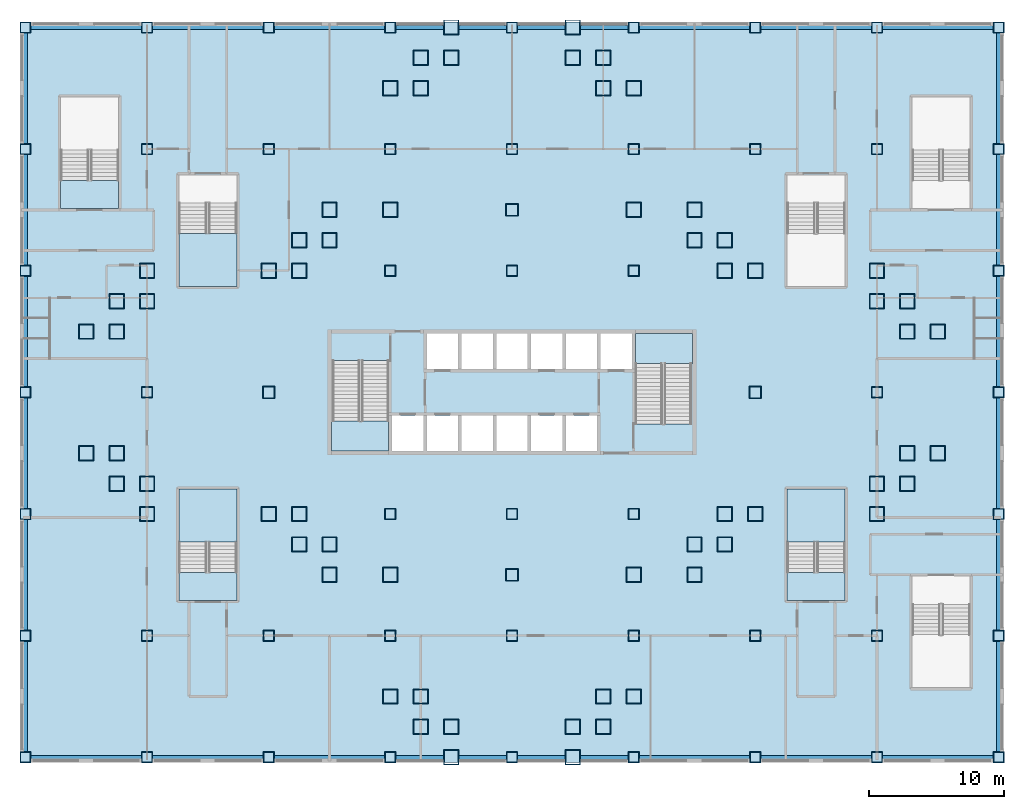
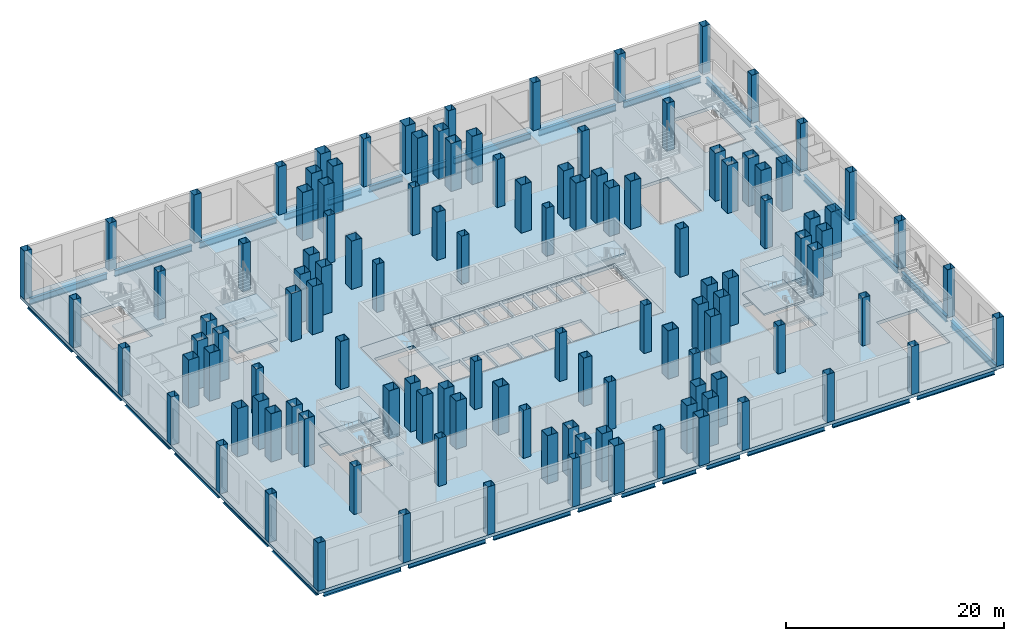
# One storey, part 1 of 26: 118 columns, 32 beams, 13 slabs, 6 elements without a shape of their own.
"""IFC4 building model written with IfcOpenShell, lengths in metres."""

from ifc_helpers import new_model, si_unit, direction, frame, origin, origin_2d, place, context, subcontext, project, spatial, polyline, hollow_rectangle, i_section, outline, extrude, material, layer, layer_set, material_profile, profile_set, type_object, element, aggregate, save


model = new_model("IFC4")

# Units and contexts
model_context = context("Model", 3, precision=1e-05, world=origin(), true_north=direction((0.0, 1.0)))
body_context = subcontext(model_context, "Body", "Model", "MODEL_VIEW")
ifc_project = project(units=[si_unit("LENGTHUNIT", "METRE"), si_unit("AREAUNIT", "SQUARE_METRE"), si_unit("VOLUMEUNIT", "CUBIC_METRE"), si_unit("PLANEANGLEUNIT", "RADIAN"), si_unit("MASSUNIT", "GRAM", prefix="KILO")], contexts=[model_context])

# Site, building, storey
site_placement = place(None, origin())
site = spatial("IfcSite", under=ifc_project, at=site_placement, CompositionType="ELEMENT")
building_placement = place(site_placement, origin())
building = spatial("IfcBuilding", under=site, at=building_placement, Name="Caravel Reach Hotel and Residences", CompositionType="ELEMENT")
storey_placement = place(building_placement, frame((0.0, 0.0, 12.0)))
storey = spatial("IfcBuildingStorey", under=building, at=storey_placement, Name="L02", CompositionType="ELEMENT", Elevation=12.0)

# Columns
ifc_material_1 = material(Name="Concrete-filled steel tube Q390B with Concrete C70 infill", Category="concrete")
ifc_material_profile_1 = material_profile(ifc_material_1, hollow_rectangle(XDim=1.10009765625, YDim=1.10009765625, WallThickness=0.035888671875, at=origin_2d()), Name="RHS 1100x1100x36")
ifc_profile_set_1 = profile_set([ifc_material_profile_1], Name="Concrete-filled steel tube Q390B with Concrete C70 infill")
column_type_1 = type_object("IfcColumnType", Name="CFT 1100x1100 Q390B C70", PredefinedType="COLUMN", material=ifc_profile_set_1)
for number, where, z_axis, x_axis, name in (
    (1, (22.5, 4.5, 0.0), (0.0, 0.0, 1.0), (1.0, 0.0, 0.0), "C1 column"),
    (2, (24.75, 4.5, 0.0), (0.0, 0.0, 1.0), (1.0, 0.0, 0.0), "C1 column"),
    (3, (24.75, 2.25, 0.0), (0.0, 0.0, 1.0), (1.0, 0.0, 0.0), "C1 column"),
    (4, (27.0, 2.25, 0.0), (0.0, 0.0, 1.0), (1.0, 0.0, 0.0), "C1 column"),
    (5, (27.0, 0.0, 0.0), (0.0, 0.0, 1.0), (1.0, 0.0, 0.0), "C1 column"),
    (6, (36.0, 0.0, 0.0), (0.0, 0.0, 1.0), (1.0, 0.0, 0.0), "C1 column"),
    (7, (36.0, 2.25, 0.0), (0.0, 0.0, 1.0), (1.0, 0.0, 0.0), "C1 column"),
    (8, (38.25, 2.25, 0.0), (0.0, 0.0, 1.0), (1.0, 0.0, 0.0), "C1 column"),
    (9, (38.25, 4.5, 0.0), (0.0, 0.0, 1.0), (1.0, 0.0, 0.0), "C1 column"),
    (10, (40.5, 4.5, 0.0), (0.0, 0.0, 1.0), (1.0, 0.0, 0.0), "C1 column"),
    (11, (40.5, 13.5, 0.0), (0.0, 0.0, 1.0), (1.0, 0.0, 0.0), "C1 column"),
    (12, (45.0, 13.5, 0.0), (0.0, 0.0, 1.0), (1.0, 0.0, 0.0), "C1 column"),
    (13, (45.0, 15.75, 0.0), (0.0, 0.0, 1.0), (1.0, 0.0, 0.0), "C1 column"),
    (14, (47.25, 15.75, 0.0), (0.0, 0.0, 1.0), (1.0, 0.0, 0.0), "C1 column"),
    (15, (47.25, 18.0, 0.0), (0.0, 0.0, 1.0), (1.0, 0.0, 0.0), "C1 column"),
    (16, (49.5, 18.0, 0.0), (0.0, 0.0, 1.0), (1.0, 0.0, 0.0), "C1 column"),
    (17, (58.5, 18.0, 0.0), (0.0, 0.0, 1.0), (1.0, 0.0, 0.0), "C1 column"),
    (18, (58.5, 20.25, 0.0), (0.0, 0.0, 1.0), (1.0, 0.0, 0.0), "C1 column"),
    (19, (60.75, 20.25, 0.0), (0.0, 0.0, 1.0), (1.0, 0.0, 0.0), "C1 column"),
    (20, (60.75, 22.5, 0.0), (0.0, 0.0, 1.0), (1.0, 0.0, 0.0), "C1 column"),
    (21, (63.0, 22.5, 0.0), (0.0, 0.0, 1.0), (1.0, 0.0, 0.0), "C1 column"),
    (22, (63.0, 31.5, 0.0), (0.0, 0.0, 1.0), (1.0, 0.0, 0.0), "C1 column"),
    (23, (60.75, 31.5, 0.0), (0.0, 0.0, 1.0), (1.0, 0.0, 0.0), "C1 column"),
    (24, (60.75, 33.75, 0.0), (0.0, 0.0, 1.0), (1.0, 0.0, 0.0), "C1 column"),
    (25, (58.5, 33.75, 0.0), (0.0, 0.0, 1.0), (1.0, 0.0, 0.0), "C1 column"),
    (26, (58.5, 36.0, 0.0), (0.0, 0.0, 1.0), (1.0, 0.0, 0.0), "C1 column"),
    (27, (49.5, 36.0, 0.0), (0.0, 0.0, 1.0), (1.0, 0.0, 0.0), "C1 column"),
    (28, (47.25, 36.0, 0.0), (0.0, 0.0, 1.0), (1.0, 0.0, 0.0), "C1 column"),
    (29, (47.25, 38.25, 0.0), (0.0, 0.0, 1.0), (1.0, 0.0, 0.0), "C1 column"),
    (30, (45.0, 38.25, 0.0), (0.0, 0.0, 1.0), (1.0, 0.0, 0.0), "C1 column"),
    (31, (45.0, 40.5, 0.0), (0.0, 0.0, 1.0), (1.0, 0.0, 0.0), "C1 column"),
    (32, (40.5, 40.5, 0.0), (0.0, 0.0, 1.0), (1.0, 0.0, 0.0), "C1 column"),
    (33, (40.5, 49.5, 0.0), (0.0, 0.0, 1.0), (1.0, 0.0, 0.0), "C1 column"),
    (34, (38.25, 49.5, 0.0), (0.0, 0.0, 1.0), (1.0, 0.0, 0.0), "C1 column"),
    (35, (38.25, 51.75, 0.0), (0.0, 0.0, 1.0), (1.0, 0.0, 0.0), "C1 column"),
    (36, (36.0, 51.75, 0.0), (0.0, 0.0, 1.0), (1.0, 0.0, 0.0), "C1 column"),
    (37, (36.0, 54.0, 0.0), (0.0, 0.0, 1.0), (1.0, 0.0, 0.0), "C1 column"),
    (38, (27.0, 54.0, 0.0), (0.0, 0.0, 1.0), (1.0, 0.0, 0.0), "C1 column"),
    (39, (27.0, 51.75, 0.0), (0.0, 0.0, 1.0), (1.0, 0.0, 0.0), "C1 column"),
    (40, (24.75, 51.75, 0.0), (0.0, 0.0, 1.0), (1.0, 0.0, 0.0), "C1 column"),
    (41, (24.75, 49.5, 0.0), (0.0, 0.0, 1.0), (1.0, 0.0, 0.0), "C1 column"),
    (42, (22.5, 49.5, 0.0), (0.0, 0.0, 1.0), (1.0, 0.0, 0.0), "C1 column"),
    (43, (22.5, 40.5, 0.0), (0.0, 0.0, 1.0), (1.0, 0.0, 0.0), "C1 column"),
    (44, (18.0, 40.5, 0.0), (0.0, 0.0, 1.0), (1.0, 0.0, 0.0), "C1 column"),
    (45, (18.0, 38.25, 0.0), (0.0, 0.0, 1.0), (1.0, 0.0, 0.0), "C1 column"),
    (46, (15.75, 38.25, 0.0), (0.0, 0.0, 1.0), (1.0, 0.0, 0.0), "C1 column"),
    (47, (15.75, 36.0, 0.0), (0.0, 0.0, 1.0), (1.0, 0.0, 0.0), "C1 column"),
    (48, (13.5, 36.0, 0.0), (0.0, 0.0, 1.0), (1.0, 0.0, 0.0), "C1 column"),
    (49, (4.5, 36.0, 0.0), (0.0, 0.0, 1.0), (1.0, 0.0, 0.0), "C1 column"),
    (50, (4.5, 33.75, 0.0), (0.0, 0.0, 1.0), (1.0, 0.0, 0.0), "C1 column"),
    (51, (2.25, 33.75, 0.0), (0.0, 0.0, 1.0), (1.0, 0.0, 0.0), "C1 column"),
    (52, (2.25, 31.5, 0.0), (0.0, 0.0, 1.0), (1.0, 0.0, 0.0), "C1 column"),
    (53, (0.0, 31.5, 0.0), (0.0, 0.0, 1.0), (1.0, 0.0, 0.0), "C1 column"),
    (54, (0.0, 22.5, 0.0), (0.0, 0.0, 1.0), (1.0, 0.0, 0.0), "C1 column"),
    (55, (2.25, 22.5, 0.0), (0.0, 0.0, 1.0), (1.0, 0.0, 0.0), "C1 column"),
    (56, (2.25, 20.25, 0.0), (0.0, 0.0, 1.0), (1.0, 0.0, 0.0), "C1 column"),
    (57, (4.5, 20.25, 0.0), (0.0, 0.0, 1.0), (1.0, 0.0, 0.0), "C1 column"),
    (58, (4.5, 18.0, 0.0), (0.0, 0.0, 1.0), (1.0, 0.0, 0.0), "C1 column"),
    (59, (13.5, 18.0, 0.0), (0.0, 0.0, 1.0), (1.0, 0.0, 0.0), "C1 column"),
    (60, (15.75, 18.0, 0.0), (0.0, 0.0, 1.0), (1.0, 0.0, 0.0), "C1 column"),
    (61, (15.75, 15.75, 0.0), (0.0, 0.0, 1.0), (1.0, 0.0, 0.0), "C1 column"),
    (62, (18.0, 15.75, 0.0), (0.0, 0.0, 1.0), (1.0, 0.0, 0.0), "C1 column"),
    (63, (18.0, 13.5, 0.0), (0.0, 0.0, 1.0), (1.0, 0.0, 0.0), "C1 column"),
    (64, (22.5, 13.5, 0.0), (0.0, 0.0, 1.0), (1.0, 0.0, 0.0), "C1 column"),
):
    element("IfcColumn", number, at=place(storey_placement, frame(where, z_axis=z_axis, x_axis=x_axis)), inside=storey, type_object=column_type_1, Name=name, PredefinedType="COLUMN", context=body_context, shape_type="SweptSolid", body=[
        extrude(hollow_rectangle(XDim=1.10009765625, YDim=1.10009765625, WallThickness=0.035888671875, at=origin_2d()), origin(), (0.0, 0.0, 1.0), 5.39990234375),
    ])
ifc_material_2 = material(Name="Concrete-filled steel tube Q390B with Concrete C70 infill", Category="concrete")
ifc_material_profile_2 = material_profile(ifc_material_2, hollow_rectangle(XDim=0.800048828125, YDim=0.800048828125, WallThickness=0.02490234375, at=origin_2d()), Name="RHS 800x800x25")
ifc_profile_set_2 = profile_set([ifc_material_profile_2], Name="Concrete-filled steel tube Q390B with Concrete C70 infill")
column_type_2 = type_object("IfcColumnType", Name="CFT 800x800 Q390B C70", PredefinedType="COLUMN", material=ifc_profile_set_2)
for number, where, z_axis, x_axis, name in (
    (65, (-4.5, 0.0, 0.0), (0.0, 0.0, 1.0), (1.0, 0.0, 0.0), "C4 column"),
    (66, (-4.5, 9.0, 0.0), (0.0, 0.0, 1.0), (1.0, 0.0, 0.0), "C4 column"),
    (67, (-4.5, 18.0, 0.0), (0.0, 0.0, 1.0), (1.0, 0.0, 0.0), "C4 column"),
    (68, (-4.5, 27.0, 0.0), (0.0, 0.0, 1.0), (1.0, 0.0, 0.0), "C4 column"),
    (69, (-4.5, 36.0, 0.0), (0.0, 0.0, 1.0), (1.0, 0.0, 0.0), "C4 column"),
    (70, (-4.5, 45.0, 0.0), (0.0, 0.0, 1.0), (1.0, 0.0, 0.0), "C4 column"),
    (71, (-4.5, 54.0, 0.0), (0.0, 0.0, 1.0), (1.0, 0.0, 0.0), "C4 column"),
    (72, (4.5, 0.0, 0.0), (0.0, 0.0, 1.0), (1.0, 0.0, 0.0), "C4 column"),
    (73, (4.5, 54.0, 0.0), (0.0, 0.0, 1.0), (1.0, 0.0, 0.0), "C4 column"),
    (74, (13.5, 0.0, 0.0), (0.0, 0.0, 1.0), (1.0, 0.0, 0.0), "C4 column"),
    (75, (13.5, 54.0, 0.0), (0.0, 0.0, 1.0), (1.0, 0.0, 0.0), "C4 column"),
    (76, (22.5, 0.0, 0.0), (0.0, 0.0, 1.0), (1.0, 0.0, 0.0), "C4 column"),
    (77, (22.5, 54.0, 0.0), (0.0, 0.0, 1.0), (1.0, 0.0, 0.0), "C4 column"),
    (78, (31.5, 0.0, 0.0), (0.0, 0.0, 1.0), (1.0, 0.0, 0.0), "C4 column"),
    (79, (31.5, 54.0, 0.0), (0.0, 0.0, 1.0), (1.0, 0.0, 0.0), "C4 column"),
    (80, (40.5, 0.0, 0.0), (0.0, 0.0, 1.0), (1.0, 0.0, 0.0), "C4 column"),
    (81, (40.5, 54.0, 0.0), (0.0, 0.0, 1.0), (1.0, 0.0, 0.0), "C4 column"),
    (82, (49.5, 0.0, 0.0), (0.0, 0.0, 1.0), (1.0, 0.0, 0.0), "C4 column"),
    (83, (49.5, 54.0, 0.0), (0.0, 0.0, 1.0), (1.0, 0.0, 0.0), "C4 column"),
    (84, (58.5, 0.0, 0.0), (0.0, 0.0, 1.0), (1.0, 0.0, 0.0), "C4 column"),
    (85, (58.5, 54.0, 0.0), (0.0, 0.0, 1.0), (1.0, 0.0, 0.0), "C4 column"),
    (86, (67.5, 0.0, 0.0), (0.0, 0.0, 1.0), (1.0, 0.0, 0.0), "C4 column"),
    (87, (67.5, 9.0, 0.0), (0.0, 0.0, 1.0), (1.0, 0.0, 0.0), "C4 column"),
    (88, (67.5, 18.0, 0.0), (0.0, 0.0, 1.0), (1.0, 0.0, 0.0), "C4 column"),
    (89, (67.5, 27.0, 0.0), (0.0, 0.0, 1.0), (1.0, 0.0, 0.0), "C4 column"),
    (90, (67.5, 36.0, 0.0), (0.0, 0.0, 1.0), (1.0, 0.0, 0.0), "C4 column"),
    (91, (67.5, 45.0, 0.0), (0.0, 0.0, 1.0), (1.0, 0.0, 0.0), "C4 column"),
    (92, (67.5, 54.0, 0.0), (0.0, 0.0, 1.0), (1.0, 0.0, 0.0), "C4 column"),
    (93, (4.5, 9.0, 0.0), (0.0, 0.0, 1.0), (1.0, 0.0, 0.0), "C4 column"),
    (94, (4.5, 27.0, 0.0), (0.0, 0.0, 1.0), (1.0, 0.0, 0.0), "C4 column"),
    (95, (4.5, 45.0, 0.0), (0.0, 0.0, 1.0), (1.0, 0.0, 0.0), "C4 column"),
    (96, (13.5, 9.0, 0.0), (0.0, 0.0, 1.0), (1.0, 0.0, 0.0), "C4 column"),
    (97, (13.5, 45.0, 0.0), (0.0, 0.0, 1.0), (1.0, 0.0, 0.0), "C4 column"),
    (98, (22.5, 9.0, 0.0), (0.0, 0.0, 1.0), (1.0, 0.0, 0.0), "C4 column"),
    (99, (22.5, 18.0, 0.0), (0.0, 0.0, 1.0), (1.0, 0.0, 0.0), "C4 column"),
    (100, (22.5, 36.0, 0.0), (0.0, 0.0, 1.0), (1.0, 0.0, 0.0), "C4 column"),
    (101, (22.5, 45.0, 0.0), (0.0, 0.0, 1.0), (1.0, 0.0, 0.0), "C4 column"),
    (102, (31.5, 9.0, 0.0), (0.0, 0.0, 1.0), (1.0, 0.0, 0.0), "C4 column"),
    (103, (31.5, 18.0, 0.0), (0.0, 0.0, 1.0), (1.0, 0.0, 0.0), "C4 column"),
    (104, (31.5, 36.0, 0.0), (0.0, 0.0, 1.0), (1.0, 0.0, 0.0), "C4 column"),
    (105, (31.5, 45.0, 0.0), (0.0, 0.0, 1.0), (1.0, 0.0, 0.0), "C4 column"),
    (106, (40.5, 9.0, 0.0), (0.0, 0.0, 1.0), (1.0, 0.0, 0.0), "C4 column"),
    (107, (40.5, 18.0, 0.0), (0.0, 0.0, 1.0), (1.0, 0.0, 0.0), "C4 column"),
    (108, (40.5, 36.0, 0.0), (0.0, 0.0, 1.0), (1.0, 0.0, 0.0), "C4 column"),
    (109, (40.5, 45.0, 0.0), (0.0, 0.0, 1.0), (1.0, 0.0, 0.0), "C4 column"),
    (110, (49.5, 9.0, 0.0), (0.0, 0.0, 1.0), (1.0, 0.0, 0.0), "C4 column"),
    (111, (49.5, 45.0, 0.0), (0.0, 0.0, 1.0), (1.0, 0.0, 0.0), "C4 column"),
    (112, (58.5, 9.0, 0.0), (0.0, 0.0, 1.0), (1.0, 0.0, 0.0), "C4 column"),
    (113, (58.5, 27.0, 0.0), (0.0, 0.0, 1.0), (1.0, 0.0, 0.0), "C4 column"),
    (114, (58.5, 45.0, 0.0), (0.0, 0.0, 1.0), (1.0, 0.0, 0.0), "C4 column"),
):
    element("IfcColumn", number, at=place(storey_placement, frame(where, z_axis=z_axis, x_axis=x_axis)), inside=storey, type_object=column_type_2, Name=name, PredefinedType="COLUMN", context=body_context, shape_type="SweptSolid", body=[
        extrude(hollow_rectangle(XDim=0.800048828125, YDim=0.800048828125, WallThickness=0.02490234375, at=origin_2d()), origin(), (0.0, 0.0, 1.0), 5.39990234375),
    ])
ifc_material_3 = material(Name="Concrete-filled steel tube Q390B with Concrete C70 infill", Category="concrete")
ifc_material_profile_3 = material_profile(ifc_material_3, hollow_rectangle(XDim=0.89990234375, YDim=0.89990234375, WallThickness=0.028076171875, at=origin_2d()), Name="RHS 900x900x28")
ifc_profile_set_3 = profile_set([ifc_material_profile_3], Name="Concrete-filled steel tube Q390B with Concrete C70 infill")
column_type_3 = type_object("IfcColumnType", Name="CFT 900x900 Q390B C70", PredefinedType="COLUMN", material=ifc_profile_set_3)
for number, where, z_axis, x_axis, name in (
    (115, (31.5, 40.5, 0.0), (0.0, 0.0, 1.0), (1.0, 0.0, 0.0), "C3 column"),
    (116, (31.5, 13.5, 0.0), (0.0, 0.0, 1.0), (1.0, 0.0, 0.0), "C3 column"),
    (117, (13.5, 27.0, 0.0), (0.0, 0.0, 1.0), (1.0, 0.0, 0.0), "C3 column"),
    (118, (49.5, 27.0, 0.0), (0.0, 0.0, 1.0), (1.0, 0.0, 0.0), "C3 column"),
):
    element("IfcColumn", number, at=place(storey_placement, frame(where, z_axis=z_axis, x_axis=x_axis)), inside=storey, type_object=column_type_3, Name=name, PredefinedType="COLUMN", context=body_context, shape_type="SweptSolid", body=[
        extrude(hollow_rectangle(XDim=0.89990234375, YDim=0.89990234375, WallThickness=0.028076171875, at=origin_2d()), origin(), (0.0, 0.0, 1.0), 5.39990234375),
    ])

# Beams
ifc_material_4 = material(Name="Structural steel Q355B", Category="steel")
ifc_material_profile_4 = material_profile(ifc_material_4, i_section(OverallWidth=0.300048828125, OverallDepth=0.699951171875, WebThickness=0.012939453125, FlangeThickness=0.02392578125, FilletRadius=0.01806640625, at=origin_2d()), Name="HN 700x300x13x24")
ifc_profile_set_4 = profile_set([ifc_material_profile_4], Name="Structural steel Q355B")
beam_type = type_object("IfcBeamType", Name="Spandrel beam HN 700x300x13x24", PredefinedType="SPANDREL", material=ifc_profile_set_4)
for number, where, z_axis, x_axis, name in (
    (119, (-4.10009765625, 0.0, -0.699951171875), (1.0, 0.0, 0.0), (0.0, 1.0, 0.0), "SP2 HN 700x300x13x24"),
    (120, (4.89990234375, 0.0, -0.699951171875), (1.0, 0.0, 0.0), (0.0, 1.0, 0.0), "SP2 HN 700x300x13x24"),
    (121, (13.89990234375, 0.0, -0.699951171875), (1.0, 0.0, 0.0), (0.0, 1.0, 0.0), "SP2 HN 700x300x13x24"),
):
    element("IfcBeam", number, at=place(storey_placement, frame(where, z_axis=z_axis, x_axis=x_axis)), inside=storey, type_object=beam_type, Name=name, PredefinedType="SPANDREL", context=body_context, shape_type="SweptSolid", body=[
        extrude(i_section(OverallWidth=0.300048828125, OverallDepth=0.699951171875, WebThickness=0.012939453125, FlangeThickness=0.02392578125, FilletRadius=0.01806640625, at=origin_2d()), origin(), (0.0, 0.0, 1.0), 8.2001953125),
    ])
for number, where, z_axis, x_axis, name in (
    (122, (22.89990234375, 0.0, -0.699951171875), (1.0, 0.0, 0.0), (0.0, 1.0, 0.0), "SP2 HN 700x300x13x24"),
    (123, (27.550048828125, 0.0, -0.699951171875), (1.0, 0.0, 0.0), (0.0, 1.0, 0.0), "SP2 HN 700x300x13x24"),
    (124, (31.89990234375, 0.0, -0.699951171875), (1.0, 0.0, 0.0), (0.0, 1.0, 0.0), "SP2 HN 700x300x13x24"),
    (125, (36.550048828125, 0.0, -0.699951171875), (1.0, 0.0, 0.0), (0.0, 1.0, 0.0), "SP2 HN 700x300x13x24"),
):
    element("IfcBeam", number, at=place(storey_placement, frame(where, z_axis=z_axis, x_axis=x_axis)), inside=storey, type_object=beam_type, Name=name, PredefinedType="SPANDREL", context=body_context, shape_type="SweptSolid", body=[
        extrude(i_section(OverallWidth=0.300048828125, OverallDepth=0.699951171875, WebThickness=0.012939453125, FlangeThickness=0.02392578125, FilletRadius=0.01806640625, at=origin_2d()), origin(), (0.0, 0.0, 1.0), 3.550048828125),
    ])
for number, where, z_axis, x_axis, name in (
    (126, (40.89990234375, 0.0, -0.699951171875), (1.0, 0.0, 0.0), (0.0, 1.0, 0.0), "SP2 HN 700x300x13x24"),
    (127, (49.89990234375, 0.0, -0.699951171875), (1.0, 0.0, 0.0), (0.0, 1.0, 0.0), "SP2 HN 700x300x13x24"),
    (128, (58.89990234375, 0.0, -0.699951171875), (1.0, 0.0, 0.0), (0.0, 1.0, 0.0), "SP2 HN 700x300x13x24"),
    (129, (67.5, 0.39990234375, -0.699951171875), (0.0, 1.0, 0.0), (-1.0, 0.0, 0.0), "SP2 HN 700x300x13x24"),
    (130, (67.5, 9.39990234375, -0.699951171875), (0.0, 1.0, 0.0), (-1.0, 0.0, 0.0), "SP2 HN 700x300x13x24"),
    (131, (67.5, 18.39990234375, -0.699951171875), (0.0, 1.0, 0.0), (-1.0, 0.0, 0.0), "SP2 HN 700x300x13x24"),
    (132, (67.5, 27.39990234375, -0.699951171875), (0.0, 1.0, 0.0), (-1.0, 0.0, 0.0), "SP2 HN 700x300x13x24"),
    (133, (67.5, 36.39990234375, -0.699951171875), (0.0, 1.0, 0.0), (-1.0, 0.0, 0.0), "SP2 HN 700x300x13x24"),
    (134, (67.5, 45.39990234375, -0.699951171875), (0.0, 1.0, 0.0), (-1.0, 0.0, 0.0), "SP2 HN 700x300x13x24"),
    (135, (67.10009765625, 54.0, -0.699951171875), (-1.0, 0.0, 0.0), (0.0, -1.0, 0.0), "SP2 HN 700x300x13x24"),
    (136, (58.10009765625, 54.0, -0.699951171875), (-1.0, 0.0, 0.0), (0.0, -1.0, 0.0), "SP2 HN 700x300x13x24"),
    (137, (49.10009765625, 54.0, -0.699951171875), (-1.0, 0.0, 0.0), (0.0, -1.0, 0.0), "SP2 HN 700x300x13x24"),
):
    element("IfcBeam", number, at=place(storey_placement, frame(where, z_axis=z_axis, x_axis=x_axis)), inside=storey, type_object=beam_type, Name=name, PredefinedType="SPANDREL", context=body_context, shape_type="SweptSolid", body=[
        extrude(i_section(OverallWidth=0.300048828125, OverallDepth=0.699951171875, WebThickness=0.012939453125, FlangeThickness=0.02392578125, FilletRadius=0.01806640625, at=origin_2d()), origin(), (0.0, 0.0, 1.0), 8.2001953125),
    ])
for number, where, z_axis, x_axis, name in (
    (138, (40.10009765625, 54.0, -0.699951171875), (-1.0, 0.0, 0.0), (0.0, -1.0, 0.0), "SP2 HN 700x300x13x24"),
    (139, (35.449951171875, 54.0, -0.699951171875), (-1.0, 0.0, 0.0), (0.0, -1.0, 0.0), "SP2 HN 700x300x13x24"),
    (140, (31.10009765625, 54.0, -0.699951171875), (-1.0, 0.0, 0.0), (0.0, -1.0, 0.0), "SP2 HN 700x300x13x24"),
    (141, (26.449951171875, 54.0, -0.699951171875), (-1.0, 0.0, 0.0), (0.0, -1.0, 0.0), "SP2 HN 700x300x13x24"),
):
    element("IfcBeam", number, at=place(storey_placement, frame(where, z_axis=z_axis, x_axis=x_axis)), inside=storey, type_object=beam_type, Name=name, PredefinedType="SPANDREL", context=body_context, shape_type="SweptSolid", body=[
        extrude(i_section(OverallWidth=0.300048828125, OverallDepth=0.699951171875, WebThickness=0.012939453125, FlangeThickness=0.02392578125, FilletRadius=0.01806640625, at=origin_2d()), origin(), (0.0, 0.0, 1.0), 3.550048828125),
    ])
for number, where, z_axis, x_axis, name in (
    (142, (22.10009765625, 54.0, -0.699951171875), (-1.0, 0.0, 0.0), (0.0, -1.0, 0.0), "SP2 HN 700x300x13x24"),
    (143, (13.10009765625, 54.0, -0.699951171875), (-1.0, 0.0, 0.0), (0.0, -1.0, 0.0), "SP2 HN 700x300x13x24"),
    (144, (4.10009765625, 54.0, -0.699951171875), (-1.0, 0.0, 0.0), (0.0, -1.0, 0.0), "SP2 HN 700x300x13x24"),
    (145, (-4.5, 53.60009765625, -0.699951171875), (0.0, -1.0, 0.0), (1.0, 0.0, 0.0), "SP2 HN 700x300x13x24"),
    (146, (-4.5, 44.60009765625, -0.699951171875), (0.0, -1.0, 0.0), (1.0, 0.0, 0.0), "SP2 HN 700x300x13x24"),
    (147, (-4.5, 35.60009765625, -0.699951171875), (0.0, -1.0, 0.0), (1.0, 0.0, 0.0), "SP2 HN 700x300x13x24"),
    (148, (-4.5, 26.60009765625, -0.699951171875), (0.0, -1.0, 0.0), (1.0, 0.0, 0.0), "SP2 HN 700x300x13x24"),
    (149, (-4.5, 17.60009765625, -0.699951171875), (0.0, -1.0, 0.0), (1.0, 0.0, 0.0), "SP2 HN 700x300x13x24"),
    (150, (-4.5, 8.60009765625, -0.699951171875), (0.0, -1.0, 0.0), (1.0, 0.0, 0.0), "SP2 HN 700x300x13x24"),
):
    element("IfcBeam", number, at=place(storey_placement, frame(where, z_axis=z_axis, x_axis=x_axis)), inside=storey, type_object=beam_type, Name=name, PredefinedType="SPANDREL", context=body_context, shape_type="SweptSolid", body=[
        extrude(i_section(OverallWidth=0.300048828125, OverallDepth=0.699951171875, WebThickness=0.012939453125, FlangeThickness=0.02392578125, FilletRadius=0.01806640625, at=origin_2d()), origin(), (0.0, 0.0, 1.0), 8.2001953125),
    ])

# Slab
ifc_material_5 = material(Name="Concrete C40", Category="concrete")
ifc_layer_1 = layer(ifc_material_5, 0.35009765625)
ifc_layer_set_1 = layer_set([ifc_layer_1], Name="Core floor slab 350 mm")
slab_type_1 = type_object("IfcSlabType", Name="Core floor slab 350 mm", PredefinedType="FLOOR", material=ifc_layer_set_1)
slab_1_placement = place(storey_placement, frame((0.0, 0.0, -0.35009765625)))
element("IfcSlab", 151, at=slab_1_placement, inside=storey, type_object=slab_type_1, Name="L02 core floor", PredefinedType="FLOOR", context=body_context, shape_type="SweptSolid", body=[
    extrude(outline(polyline([(18.0, 31.5), (45.0, 31.5), (45.0, 22.5), (18.0, 22.5), (18.0, 31.5)]), holes=[polyline([(22.625, 25.27490234375), (22.625, 22.64990234375), (24.9462890625, 22.64990234375), (24.9462890625, 25.27490234375), (22.625, 25.27490234375)]), polyline([(27.517822265625, 25.27490234375), (25.1962890625, 25.27490234375), (25.1962890625, 22.64990234375), (27.517822265625, 22.64990234375), (27.517822265625, 25.27490234375)]), polyline([(30.08935546875, 25.27490234375), (27.767822265625, 25.27490234375), (27.767822265625, 22.64990234375), (30.08935546875, 22.64990234375), (30.08935546875, 25.27490234375)]), polyline([(32.66064453125, 25.27490234375), (30.33935546875, 25.27490234375), (30.33935546875, 22.64990234375), (32.66064453125, 22.64990234375), (32.66064453125, 25.27490234375)]), polyline([(18.22509765625, 22.64990234375), (22.375, 22.64990234375), (22.375, 29.35009765625), (18.22509765625, 29.35009765625), (18.22509765625, 22.64990234375)]), polyline([(27.517822265625, 31.35009765625), (25.1962890625, 31.35009765625), (25.1962890625, 28.72509765625), (27.517822265625, 28.72509765625), (27.517822265625, 31.35009765625)]), polyline([(30.08935546875, 31.35009765625), (27.767822265625, 31.35009765625), (27.767822265625, 28.72509765625), (30.08935546875, 28.72509765625), (30.08935546875, 31.35009765625)]), polyline([(32.91064453125, 25.27490234375), (32.91064453125, 22.64990234375), (35.232177734375, 22.64990234375), (35.232177734375, 25.27490234375), (32.91064453125, 25.27490234375)]), polyline([(37.8037109375, 25.27490234375), (35.482177734375, 25.27490234375), (35.482177734375, 22.64990234375), (37.8037109375, 22.64990234375), (37.8037109375, 25.27490234375)]), polyline([(44.77490234375, 31.35009765625), (40.625, 31.35009765625), (40.625, 24.64990234375), (44.77490234375, 24.64990234375), (44.77490234375, 31.35009765625)]), polyline([(32.66064453125, 31.35009765625), (30.33935546875, 31.35009765625), (30.33935546875, 28.72509765625), (32.66064453125, 28.72509765625), (32.66064453125, 31.35009765625)]), polyline([(35.232177734375, 31.35009765625), (32.91064453125, 31.35009765625), (32.91064453125, 28.72509765625), (35.232177734375, 28.72509765625), (35.232177734375, 31.35009765625)]), polyline([(37.8037109375, 31.35009765625), (35.482177734375, 31.35009765625), (35.482177734375, 28.72509765625), (37.8037109375, 28.72509765625), (37.8037109375, 31.35009765625)]), polyline([(40.375, 31.35009765625), (38.0537109375, 31.35009765625), (38.0537109375, 28.72509765625), (40.375, 28.72509765625), (40.375, 31.35009765625)])]), origin(), (0.0, 0.0, 1.0), 0.35009765625),
])

# Stair, slab
ifc_material_6 = material(Name="Concrete C40", Category="concrete")
stair_type = type_object("IfcStairType", Name="Core stair", PredefinedType="HALF_TURN_STAIR", material=ifc_material_6)
stair_1_placement = place(storey_placement, origin())
stair_1 = element("IfcStair", 152, at=stair_1_placement, inside=storey, type_object=stair_type, Name="L02 Exit stair A", PredefinedType="HALF_TURN_STAIR")
ifc_material_7 = material(Name="Concrete C40", Category="concrete")
ifc_layer_2 = layer(ifc_material_7, 0.199951171875)
ifc_layer_set_2 = layer_set([ifc_layer_2], Name="Core stair landing")
slab_type_2 = type_object("IfcSlabType", Name="Core stair landing", PredefinedType="LANDING", material=ifc_layer_set_2)
slab_2_placement = place(storey_placement, frame((0.0, 0.0, 2.5)))
slab_2 = element("IfcSlab", 153, at=slab_2_placement, type_object=slab_type_2, Name="ST-A landing 1", PredefinedType="LANDING", context=body_context, shape_type="SweptSolid", body=[
    extrude(outline(polyline([(18.14990234375, 24.8701171875), (18.14990234375, 22.64990234375), (22.375, 22.64990234375), (22.375, 24.8701171875), (18.14990234375, 24.8701171875)])), origin(), (0.0, 0.0, 1.0), 0.199951171875),
])
aggregate(stair_1, [slab_2])

stair_2_placement = place(storey_placement, origin())
stair_2 = element("IfcStair", 154, at=stair_2_placement, inside=storey, type_object=stair_type, Name="L02 Exit stair B", PredefinedType="HALF_TURN_STAIR")
slab_3_placement = place(storey_placement, frame((0.0, 0.0, 2.5)))
slab_3 = element("IfcSlab", 155, at=slab_3_placement, type_object=slab_type_2, Name="ST-B landing 1", PredefinedType="LANDING", context=body_context, shape_type="SweptSolid", body=[
    extrude(outline(polyline([(44.85009765625, 29.1298828125), (44.85009765625, 31.35009765625), (40.625, 31.35009765625), (40.625, 29.1298828125), (44.85009765625, 29.1298828125)])), origin(), (0.0, 0.0, 1.0), 0.199951171875),
])
aggregate(stair_2, [slab_3])

# Stair, slabs
stair_3_placement = place(storey_placement, origin())
stair_3 = element("IfcStair", 156, at=stair_3_placement, inside=storey, type_object=stair_type, Name="L02 Exit stair P1", PredefinedType="HALF_TURN_STAIR")
slab_4_placement = place(storey_placement, frame((0.0, 0.0, 1.14990234375)))
slab_4 = element("IfcSlab", 157, at=slab_4_placement, type_object=slab_type_2, Name="ST-P1 landing 1", PredefinedType="LANDING", context=body_context, shape_type="SweptSolid", body=[
    extrude(outline(polyline([(6.85009765625, 38.77001953125), (6.85009765625, 34.85009765625), (11.14990234375, 34.85009765625), (11.14990234375, 38.77001953125), (6.85009765625, 38.77001953125)])), origin(), (0.0, 0.0, 1.0), 0.2001953125),
])
slab_5_placement = place(storey_placement, frame((0.0, 0.0, 3.85009765625)))
slab_5 = element("IfcSlab", 158, at=slab_5_placement, type_object=slab_type_2, Name="ST-P1 landing 3", PredefinedType="LANDING", context=body_context, shape_type="SweptSolid", body=[
    extrude(outline(polyline([(6.85009765625, 38.77001953125), (6.85009765625, 34.85009765625), (11.14990234375, 34.85009765625), (11.14990234375, 38.77001953125), (6.85009765625, 38.77001953125)])), origin(), (0.0, 0.0, 1.0), 0.199951171875),
])
aggregate(stair_3, [slab_4, slab_5])

stair_4_placement = place(storey_placement, origin())
stair_4 = element("IfcStair", 159, at=stair_4_placement, inside=storey, type_object=stair_type, Name="L02 Exit stair P3", PredefinedType="HALF_TURN_STAIR")
slab_6_placement = place(storey_placement, frame((0.0, 0.0, 1.14990234375)))
slab_6 = element("IfcSlab", 160, at=slab_6_placement, type_object=slab_type_2, Name="ST-P3 landing 1", PredefinedType="LANDING", context=body_context, shape_type="SweptSolid", body=[
    extrude(outline(polyline([(11.14990234375, 15.929931640625), (11.14990234375, 19.85009765625), (6.85009765625, 19.85009765625), (6.85009765625, 15.929931640625), (11.14990234375, 15.929931640625)])), origin(), (0.0, 0.0, 1.0), 0.2001953125),
])
slab_7_placement = place(storey_placement, frame((0.0, 0.0, 2.5)))
slab_7 = element("IfcSlab", 161, at=slab_7_placement, type_object=slab_type_2, Name="ST-P3 landing 2", PredefinedType="LANDING", context=body_context, shape_type="SweptSolid", body=[
    extrude(outline(polyline([(11.14990234375, 11.60009765625), (11.14990234375, 13.68994140625), (6.85009765625, 13.68994140625), (6.85009765625, 11.60009765625), (11.14990234375, 11.60009765625)])), origin(), (0.0, 0.0, 1.0), 0.199951171875),
])
slab_8_placement = place(storey_placement, frame((0.0, 0.0, 3.85009765625)))
slab_8 = element("IfcSlab", 162, at=slab_8_placement, type_object=slab_type_2, Name="ST-P3 landing 3", PredefinedType="LANDING", context=body_context, shape_type="SweptSolid", body=[
    extrude(outline(polyline([(11.14990234375, 15.929931640625), (11.14990234375, 19.85009765625), (6.85009765625, 19.85009765625), (6.85009765625, 15.929931640625), (11.14990234375, 15.929931640625)])), origin(), (0.0, 0.0, 1.0), 0.199951171875),
])
aggregate(stair_4, [slab_6, slab_7, slab_8])

stair_5_placement = place(storey_placement, origin())
stair_5 = element("IfcStair", 163, at=stair_5_placement, inside=storey, type_object=stair_type, Name="L02 Exit stair P4", PredefinedType="HALF_TURN_STAIR")
slab_9_placement = place(storey_placement, frame((0.0, 0.0, 1.14990234375)))
slab_9 = element("IfcSlab", 164, at=slab_9_placement, type_object=slab_type_2, Name="ST-P4 landing 1", PredefinedType="LANDING", context=body_context, shape_type="SweptSolid", body=[
    extrude(outline(polyline([(56.14990234375, 15.929931640625), (56.14990234375, 19.85009765625), (51.85009765625, 19.85009765625), (51.85009765625, 15.929931640625), (56.14990234375, 15.929931640625)])), origin(), (0.0, 0.0, 1.0), 0.2001953125),
])
slab_10_placement = place(storey_placement, frame((0.0, 0.0, 2.5)))
slab_10 = element("IfcSlab", 165, at=slab_10_placement, type_object=slab_type_2, Name="ST-P4 landing 2", PredefinedType="LANDING", context=body_context, shape_type="SweptSolid", body=[
    extrude(outline(polyline([(56.14990234375, 11.60009765625), (56.14990234375, 13.68994140625), (51.85009765625, 13.68994140625), (51.85009765625, 11.60009765625), (56.14990234375, 11.60009765625)])), origin(), (0.0, 0.0, 1.0), 0.199951171875),
])
slab_11_placement = place(storey_placement, frame((0.0, 0.0, 3.85009765625)))
slab_11 = element("IfcSlab", 166, at=slab_11_placement, type_object=slab_type_2, Name="ST-P4 landing 3", PredefinedType="LANDING", context=body_context, shape_type="SweptSolid", body=[
    extrude(outline(polyline([(56.14990234375, 15.929931640625), (56.14990234375, 19.85009765625), (51.85009765625, 19.85009765625), (51.85009765625, 15.929931640625), (56.14990234375, 15.929931640625)])), origin(), (0.0, 0.0, 1.0), 0.199951171875),
])
aggregate(stair_5, [slab_9, slab_10, slab_11])

# Stair, slab
stair_6_placement = place(storey_placement, origin())
stair_6 = element("IfcStair", 167, at=stair_6_placement, inside=storey, type_object=stair_type, Name="L02 Exit stair P5", PredefinedType="HALF_TURN_STAIR")
slab_12_placement = place(storey_placement, frame((0.0, 0.0, 2.5)))
slab_12 = element("IfcSlab", 168, at=slab_12_placement, type_object=slab_type_2, Name="ST-P5 landing 2", PredefinedType="LANDING", context=body_context, shape_type="SweptSolid", body=[
    extrude(outline(polyline([(2.39990234375, 40.60009765625), (2.39990234375, 42.68994140625), (-1.89990234375, 42.68994140625), (-1.89990234375, 40.60009765625), (2.39990234375, 40.60009765625)])), origin(), (0.0, 0.0, 1.0), 0.199951171875),
])
aggregate(stair_6, [slab_12])

# Slab
ifc_material_8 = material(Name="Concrete C40 post-tensioned", Category="concrete")
ifc_layer_3 = layer(ifc_material_8, 0.35009765625)
ifc_layer_set_3 = layer_set([ifc_layer_3], Name="Floor slab 350")
slab_type_3 = type_object("IfcSlabType", Name="Floor slab 350", PredefinedType="FLOOR", material=ifc_layer_set_3)
slab_13_placement = place(storey_placement, frame((0.0, 0.0, -0.35009765625)))
element("IfcSlab", 169, at=slab_13_placement, inside=storey, type_object=slab_type_3, Name="S3 slab L02", PredefinedType="FLOOR", context=body_context, shape_type="SweptSolid", body=[
    extrude(outline(polyline([(-4.89990234375, -0.39990234375), (-4.89990234375, 54.39990234375), (67.89990234375, 54.39990234375), (67.89990234375, -0.39990234375), (-4.89990234375, -0.39990234375)]), holes=[polyline([(45.0, 22.5), (45.0, 31.5), (18.0, 31.5), (18.0, 22.5), (45.0, 22.5)]), polyline([(11.14501953125, 41.010009765625), (6.85498046875, 41.010009765625), (6.85498046875, 34.8701171875), (11.14501953125, 34.8701171875), (11.14501953125, 41.010009765625)]), polyline([(56.14501953125, 34.8701171875), (56.14501953125, 41.010009765625), (51.85498046875, 41.010009765625), (51.85498046875, 34.8701171875), (56.14501953125, 34.8701171875)]), polyline([(11.14501953125, 19.830078125), (6.85498046875, 19.830078125), (6.85498046875, 13.68994140625), (11.14501953125, 13.68994140625), (11.14501953125, 19.830078125)]), polyline([(56.14501953125, 13.68994140625), (56.14501953125, 19.830078125), (51.85498046875, 19.830078125), (51.85498046875, 13.68994140625), (56.14501953125, 13.68994140625)]), polyline([(-1.89501953125, 42.68994140625), (2.39501953125, 42.68994140625), (2.39501953125, 48.830078125), (-1.89501953125, 48.830078125), (-1.89501953125, 42.68994140625)]), polyline([(61.10498046875, 48.830078125), (61.10498046875, 42.68994140625), (65.39501953125, 42.68994140625), (65.39501953125, 48.830078125), (61.10498046875, 48.830078125)]), polyline([(61.10498046875, 5.169921875), (65.39501953125, 5.169921875), (65.39501953125, 11.31005859375), (61.10498046875, 11.31005859375), (61.10498046875, 5.169921875)])]), origin(), (0.0, 0.0, 1.0), 0.35009765625),
])

save(model, "model.ifc")
